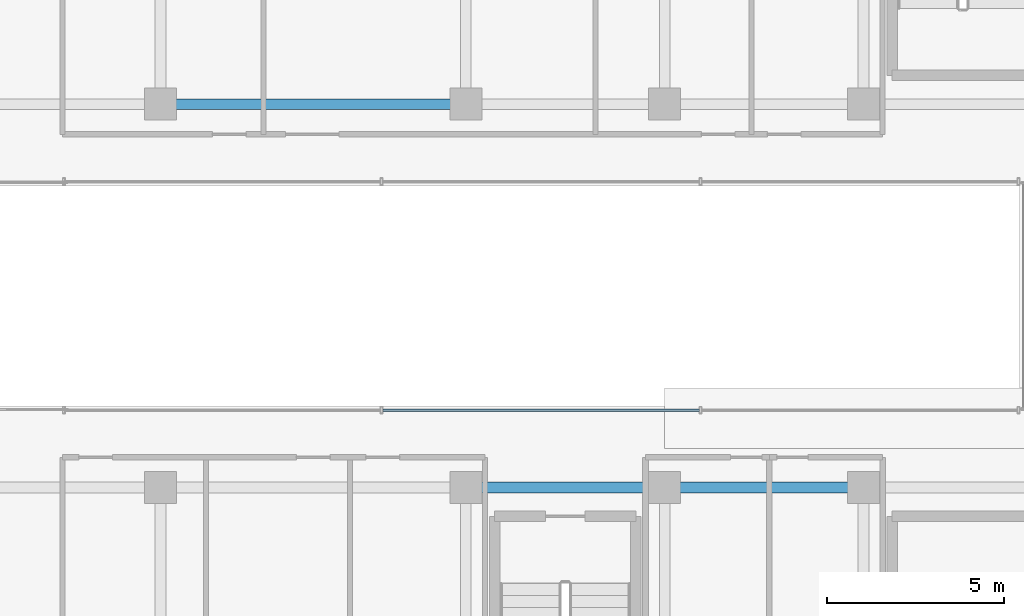
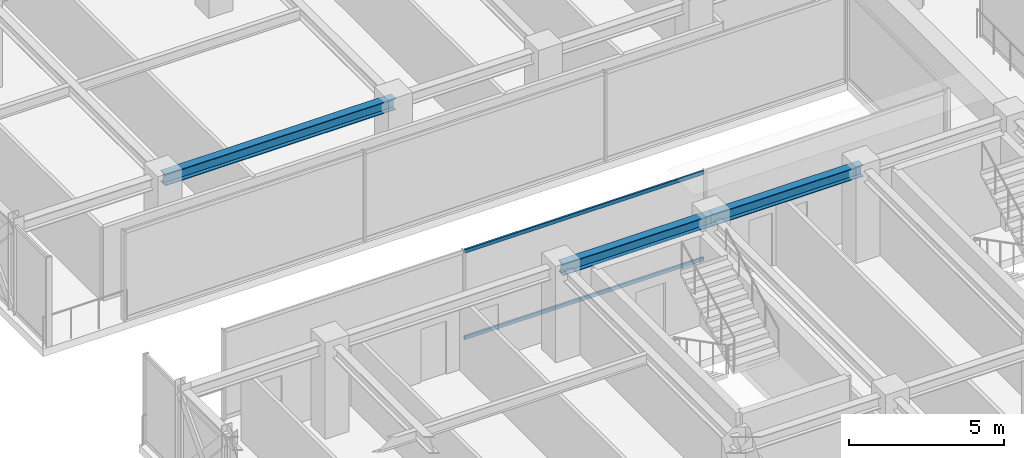
# One storey, part 12 of 41: 3 beams, 2 members, 1 element without a shape of its own.
"""IFC4 building model written with IfcOpenShell, lengths in metres."""

from ifc_helpers import new_model, si_unit, direction, frame, origin, origin_2d, place, context, subcontext, project, spatial, hollow_rectangle, i_section, extrude, source, transform, mapped, material, material_profile, profile_set, type_object, element, aggregate, save


model = new_model("IFC4")

# Units and contexts
model_context = context("Model", 3, precision=1e-05, world=origin(), true_north=direction((0.0, 1.0)))
body_context = subcontext(model_context, "Body", "Model", "MODEL_VIEW")
ifc_project = project(units=[si_unit("LENGTHUNIT", "METRE"), si_unit("AREAUNIT", "SQUARE_METRE"), si_unit("VOLUMEUNIT", "CUBIC_METRE"), si_unit("PLANEANGLEUNIT", "RADIAN"), si_unit("MASSUNIT", "GRAM", prefix="KILO")], contexts=[model_context])

# Site, building, storey
site_placement = place(None, origin())
site = spatial("IfcSite", under=ifc_project, at=site_placement, CompositionType="ELEMENT")
building_placement = place(site_placement, origin())
building = spatial("IfcBuilding", under=site, at=building_placement, Name="Nahalor Promenade Grand Hotel", CompositionType="ELEMENT")
storey_placement = place(building_placement, frame((0.0, 0.0, 304.199951171875)))
storey = spatial("IfcBuildingStorey", under=building, at=storey_placement, Name="L78", CompositionType="ELEMENT", Elevation=304.199951171875)

# Beams
ifc_material_1 = material(Name="Steel S355JR", Category="steel")
ifc_material_profile_1 = material_profile(ifc_material_1, i_section(OverallWidth=0.3, OverallDepth=0.45, WebThickness=0.014, FlangeThickness=0.026, at=origin_2d()), Name="HEB 450")
ifc_profile_set_1 = profile_set([ifc_material_profile_1], Name="Steel S355JR")
beam_type = type_object("IfcBeamType", Name="Beam-Girder-HEB450", PredefinedType="BEAM", material=ifc_profile_set_1)
shared_shape_1 = source(origin(), body_context, "Body", "SweptSolid", [
    extrude(i_section(OverallWidth=0.3, OverallDepth=0.45, WebThickness=0.014, FlangeThickness=0.026, at=origin_2d()), origin(), (0.0, 0.0, 1.0), 8.60009765625),
])
beam_1_placement = place(storey_placement, frame((-17.0, 5.39990234375, 3.324951171875), z_axis=(1.0, 0.0, 0.0), x_axis=(0.0, 1.0, 0.0)))
element("IfcBeam", 1, at=beam_1_placement, inside=storey, type_object=beam_type, Name="BM-L78-GX-2-1", PredefinedType="BEAM", context=body_context, shape_type="MappedRepresentation", body=[
    mapped(shared_shape_1, transform((0.0, 0.0, 0.0), scale=1.0)),
])
shared_shape_2 = source(origin(), body_context, "Body", "SweptSolid", [
    extrude(i_section(OverallWidth=0.3, OverallDepth=0.45, WebThickness=0.014, FlangeThickness=0.026, at=origin_2d()), origin(), (0.0, 0.0, 1.0), 5.599853515625),
])
beam_2_placement = place(storey_placement, frame((-8.39990234375, -5.39990234375, 3.324951171875), z_axis=(1.0, 0.0, 0.0), x_axis=(0.0, 1.0, 0.0)))
element("IfcBeam", 2, at=beam_2_placement, inside=storey, type_object=beam_type, Name="BM-L78-GX-1-2", PredefinedType="BEAM", context=body_context, shape_type="MappedRepresentation", body=[
    mapped(shared_shape_2, transform((0.0, 0.0, 0.0), scale=1.0)),
])
shared_shape_3 = source(origin(), body_context, "Body", "SweptSolid", [
    extrude(i_section(OverallWidth=0.3, OverallDepth=0.45, WebThickness=0.014, FlangeThickness=0.026, at=origin_2d()), origin(), (0.0, 0.0, 1.0), 5.60009765625),
])
beam_3_placement = place(storey_placement, frame((-2.800048828125, -5.39990234375, 3.324951171875), z_axis=(1.0, 0.0, 0.0), x_axis=(0.0, 1.0, 0.0)))
element("IfcBeam", 3, at=beam_3_placement, inside=storey, type_object=beam_type, Name="BM-L78-GX-1-3", PredefinedType="BEAM", context=body_context, shape_type="MappedRepresentation", body=[
    mapped(shared_shape_3, transform((0.0, 0.0, 0.0), scale=1.0)),
])

# Curtain wall, members
ifc_material_2 = material(Name="Anodised Bronze Aluminium EN AW-6063 T6", Category="aluminium")
curtain_wall_type = type_object("IfcCurtainWallType", Name="CW3 Elliptical-Void Collar Unitised Curtain Wall", PredefinedType="USERDEFINED", material=ifc_material_2)
curtain_wall_placement = place(storey_placement, origin())
curtain_wall = element("IfcCurtainWall", 4, at=curtain_wall_placement, inside=storey, type_object=curtain_wall_type, Name="L78 Curtain Wall CW-L78-VOID-WS1", ObjectType="UNITISED_CURTAIN_WALL", PredefinedType="USERDEFINED")
ifc_material_profile_2 = material_profile(ifc_material_2, hollow_rectangle(XDim=0.07, YDim=0.14, WallThickness=0.004, at=origin_2d()), Name="CWT 70x140x4")
ifc_profile_set_2 = profile_set([ifc_material_profile_2], Name="Anodised Bronze Aluminium EN AW-6063 T6")
member_type = type_object("IfcMemberType", Name="CWT3 Void Collar Transom 70x140", PredefinedType="USERDEFINED", material=ifc_profile_set_2)
shared_shape_4 = source(origin(), body_context, "Body", "SweptSolid", [
    extrude(hollow_rectangle(XDim=0.07, YDim=0.14, WallThickness=0.004, at=origin_2d()), origin(), (0.0, 0.0, 1.0), 8.91650390625),
])
member_1_placement = place(storey_placement, frame((-10.73828125, -3.219970703125, 0.070068359375), z_axis=(1.0, 0.0, 0.0), x_axis=(0.0, 1.0, 0.0)))
member_1 = element("IfcMember", 5, at=member_1_placement, type_object=member_type, Name="CW-L78-VOID-WS1 Transom 1-0", ObjectType="TRANSOM", PredefinedType="USERDEFINED", context=body_context, shape_type="MappedRepresentation", body=[
    mapped(shared_shape_4, transform((0.0, 0.0, 0.0), scale=1.0)),
])
member_2_placement = place(storey_placement, frame((-10.73828125, -3.219970703125, 3.47998046875), z_axis=(1.0, 0.0, 0.0), x_axis=(0.0, 1.0, 0.0)))
member_2 = element("IfcMember", 6, at=member_2_placement, type_object=member_type, Name="CW-L78-VOID-WS1 Transom 1-1", ObjectType="TRANSOM", PredefinedType="USERDEFINED", context=body_context, shape_type="MappedRepresentation", body=[
    mapped(shared_shape_4, transform((0.0, 0.0, 0.0), scale=1.0)),
])
aggregate(curtain_wall, [member_1, member_2])

save(model, "model.ifc")
